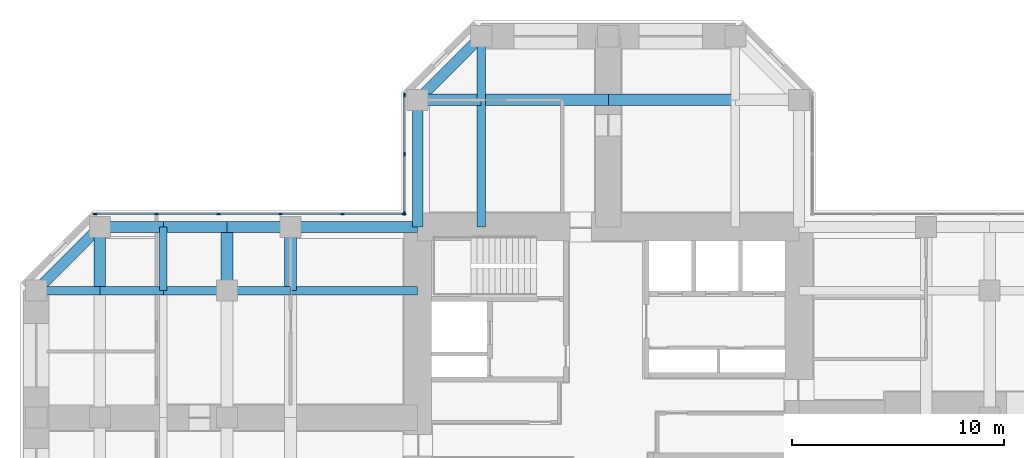
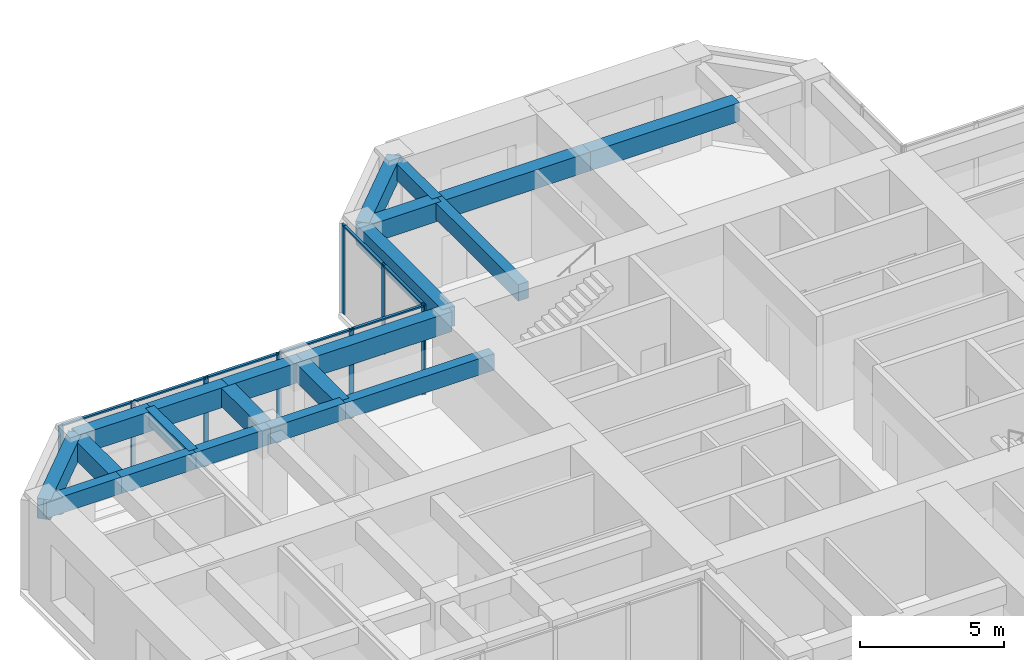
# One storey, part 5 of 13: 21 beams, 16 members, 2 elements without a shape of their own.
"""IFC4 building model written with IfcOpenShell, lengths in metres."""

from ifc_helpers import new_model, si_unit, direction, frame, origin, origin_2d, place, context, subcontext, project, spatial, rectangle, extrude, material, material_profile, profile_set, type_object, element, aggregate, save


model = new_model("IFC4")

# Units and contexts
model_context = context("Model", 3, precision=1e-05, world=origin(), true_north=direction((0.0, 1.0)))
body_context = subcontext(model_context, "Body", "Model", "MODEL_VIEW")
ifc_project = project(units=[si_unit("LENGTHUNIT", "METRE"), si_unit("AREAUNIT", "SQUARE_METRE"), si_unit("VOLUMEUNIT", "CUBIC_METRE"), si_unit("PLANEANGLEUNIT", "RADIAN"), si_unit("MASSUNIT", "GRAM", prefix="KILO")], contexts=[model_context])

# Site, building, storey
site_placement = place(None, origin())
site = spatial("IfcSite", under=ifc_project, at=site_placement, CompositionType="ELEMENT")
building_placement = place(site_placement, origin())
building = spatial("IfcBuilding", under=site, at=building_placement, Name="Torre Cruceta", CompositionType="ELEMENT")
storey_placement = place(building_placement, frame((0.0, 0.0, 152.5)))
storey = spatial("IfcBuildingStorey", under=building, at=storey_placement, Name="L37", CompositionType="ELEMENT", Elevation=152.5)

# Beams
ifc_material_1 = material(Name="Concrete G60 (fck 60 MPa)", Category="concrete")
ifc_material_profile_1 = material_profile(ifc_material_1, rectangle(XDim=0.39990234375, YDim=0.699951171875, at=origin_2d()), Name="RC 400X700")
ifc_profile_set_1 = profile_set([ifc_material_profile_1], Name="Concrete G60 (fck 60 MPa)")
beam_type_1 = type_object("IfcBeamType", Name="COLUMN LINE BEAM RC 400X700", PredefinedType="BEAM", material=ifc_profile_set_1)
beam_1_placement = place(storey_placement, frame((-6.0, 9.0, 3.449951171875), z_axis=(0.0, 1.0, 0.0), x_axis=(-1.0, 0.0, 0.0)))
element("IfcBeam", 1, at=beam_1_placement, inside=storey, type_object=beam_type_1, Name="LB5 L37 N col+ 1", PredefinedType="BEAM", context=body_context, shape_type="SweptSolid", body=[
    extrude(rectangle(XDim=0.39990234375, YDim=0.699951171875, at=origin_2d()), origin(), (0.0, 0.0, 1.0), 6.0),
])
beam_2_placement = place(storey_placement, frame((-6.0, 15.0, 3.449951171875), z_axis=(0.0, 1.0, 0.0), x_axis=(-1.0, 0.0, 0.0)))
element("IfcBeam", 2, at=beam_2_placement, inside=storey, type_object=beam_type_1, Name="LB5 L37 N col+ 2", PredefinedType="BEAM", context=body_context, shape_type="SweptSolid", body=[
    extrude(rectangle(XDim=0.39990234375, YDim=0.699951171875, at=origin_2d()), origin(), (0.0, 0.0, 1.0), 3.0),
])
beam_3_placement = place(storey_placement, frame((-9.0, 6.0, 3.449951171875), z_axis=(-1.0, 0.0, 0.0), x_axis=(0.0, -1.0, 0.0)))
element("IfcBeam", 3, at=beam_3_placement, inside=storey, type_object=beam_type_1, Name="LB5 L37 W col- 1", PredefinedType="BEAM", context=body_context, shape_type="SweptSolid", body=[
    extrude(rectangle(XDim=0.39990234375, YDim=0.699951171875, at=origin_2d()), origin(), (0.0, 0.0, 1.0), 6.0),
])
for number, where, z_axis, x_axis, name in (
    (4, (-15.0, 6.0, 3.449951171875), (-1.0, 0.0, 0.0), (0.0, -1.0, 0.0), "LB5 L37 W col- 2"),
    (5, (-18.0, 6.0, 3.449951171875), (-1.0, 0.0, 0.0), (0.0, -1.0, 0.0), "LB5 L37 W col- 3"),
    (6, (-21.0, 6.0, 3.449951171875), (-1.0, 0.0, 0.0), (0.0, -1.0, 0.0), "LB5 L37 W col- 4"),
    (7, (-24.0, 6.0, 3.449951171875), (-1.0, 0.0, 0.0), (0.0, -1.0, 0.0), "LB5 L37 W col- 5"),
):
    element("IfcBeam", number, at=place(storey_placement, frame(where, z_axis=z_axis, x_axis=x_axis)), inside=storey, type_object=beam_type_1, Name=name, PredefinedType="BEAM", context=body_context, shape_type="SweptSolid", body=[
        extrude(rectangle(XDim=0.39990234375, YDim=0.699951171875, at=origin_2d()), origin(), (0.0, 0.0, 1.0), 3.0),
    ])
ifc_material_2 = material(Name="Concrete G60 (fck 60 MPa)", Category="concrete")
ifc_material_profile_2 = material_profile(ifc_material_2, rectangle(XDim=0.550048828125, YDim=0.800048828125, at=origin_2d()), Name="RC 550X800")
ifc_profile_set_2 = profile_set([ifc_material_profile_2], Name="Concrete G60 (fck 60 MPa)")
beam_type_2 = type_object("IfcBeamType", Name="CROSS BEAM RC 550X800", PredefinedType="BEAM", material=ifc_profile_set_2)
for number, where, z_axis, x_axis, name in (
    (8, (6.0, 15.0, 3.39990234375), (-1.0, 0.0, 0.0), (0.0, -1.0, 0.0), "GB5 L37 N cross15 2"),
    (9, (0.0, 15.0, 3.39990234375), (-1.0, 0.0, 0.0), (0.0, -1.0, 0.0), "GB5 L37 N cross15 3"),
):
    element("IfcBeam", number, at=place(storey_placement, frame(where, z_axis=z_axis, x_axis=x_axis)), inside=storey, type_object=beam_type_2, Name=name, PredefinedType="BEAM", context=body_context, shape_type="SweptSolid", body=[
        extrude(rectangle(XDim=0.550048828125, YDim=0.800048828125, at=origin_2d()), origin(), (0.0, 0.0, 1.0), 6.0),
    ])
for number, where, z_axis, x_axis, name in (
    (10, (-6.0, 15.0, 3.39990234375), (-1.0, 0.0, 0.0), (0.0, -1.0, 0.0), "GB5 L37 N cross15 4"),
    (11, (-15.0, 9.0, 3.39990234375), (0.0, -1.0, 0.0), (1.0, 0.0, 0.0), "GB5 L37 W cross15 1"),
    (12, (-18.0, 9.0, 3.39990234375), (0.0, -1.0, 0.0), (1.0, 0.0, 0.0), "GB5 L37 W cross18 1"),
    (13, (-24.0, 9.0, 3.39990234375), (0.0, -1.0, 0.0), (1.0, 0.0, 0.0), "GB5 L37 W cross24 1"),
):
    element("IfcBeam", number, at=place(storey_placement, frame(where, z_axis=z_axis, x_axis=x_axis)), inside=storey, type_object=beam_type_2, Name=name, PredefinedType="BEAM", context=body_context, shape_type="SweptSolid", body=[
        extrude(rectangle(XDim=0.550048828125, YDim=0.800048828125, at=origin_2d()), origin(), (0.0, 0.0, 1.0), 3.0),
    ])

# Curtain wall, members
ifc_material_3 = material(Name="Aluminium unitised curtain wall", Category="aluminium")
curtain_wall_type = type_object("IfcCurtainWallType", Name="CURTAIN WALL CW-B OFFICE MID RISE", PredefinedType="USERDEFINED", material=ifc_material_3)
curtain_wall_1_placement = place(storey_placement, origin())
curtain_wall_1 = element("IfcCurtainWall", 14, at=curtain_wall_1_placement, inside=storey, type_object=curtain_wall_type, Name="CW-B L37 N side 09", ObjectType="UNITISED", PredefinedType="USERDEFINED")
ifc_material_4 = material(Name="Aluminium mullion", Category="aluminium")
ifc_material_profile_3 = material_profile(ifc_material_4, rectangle(XDim=0.06494140625, YDim=0.179931640625, at=origin_2d()), Name="AL 65X180")
ifc_profile_set_3 = profile_set([ifc_material_profile_3], Name="Aluminium mullion")
member_type_1 = type_object("IfcMemberType", Name="CW-B MULLION 65X180", PredefinedType="MULLION", material=ifc_profile_set_3)
member_1_placement = place(storey_placement, frame((-9.6201171875, 15.224365234375, 0.0), z_axis=(0.0, 0.0, 1.0), x_axis=(1.0, 0.0, 0.0)))
member_1 = element("IfcMember", 15, at=member_1_placement, type_object=member_type_1, Name="CW-B mullion 1", PredefinedType="MULLION", context=body_context, shape_type="SweptSolid", body=[
    extrude(rectangle(XDim=0.06494140625, YDim=0.179931640625, at=origin_2d()), origin(), (0.0, 0.0, 1.0), 3.800048828125),
])
member_2_placement = place(storey_placement, frame((-9.6201171875, 12.4384765625, 0.0), z_axis=(0.0, 0.0, 1.0), x_axis=(1.0, 0.0, 0.0)))
member_2 = element("IfcMember", 16, at=member_2_placement, type_object=member_type_1, Name="CW-B mullion 2", PredefinedType="MULLION", context=body_context, shape_type="SweptSolid", body=[
    extrude(rectangle(XDim=0.06494140625, YDim=0.179931640625, at=origin_2d()), origin(), (0.0, 0.0, 1.0), 3.800048828125),
])
member_3_placement = place(storey_placement, frame((-9.6201171875, 9.652587890625, 0.0), z_axis=(0.0, 0.0, 1.0), x_axis=(1.0, 0.0, 0.0)))
member_3 = element("IfcMember", 17, at=member_3_placement, type_object=member_type_1, Name="CW-B mullion 3", PredefinedType="MULLION", context=body_context, shape_type="SweptSolid", body=[
    extrude(rectangle(XDim=0.06494140625, YDim=0.179931640625, at=origin_2d()), origin(), (0.0, 0.0, 1.0), 3.800048828125),
])

curtain_wall_2_placement = place(storey_placement, origin())
curtain_wall_2 = element("IfcCurtainWall", 18, at=curtain_wall_2_placement, inside=storey, type_object=curtain_wall_type, Name="CW-B L37 W side 10", ObjectType="UNITISED", PredefinedType="USERDEFINED")
member_4_placement = place(storey_placement, frame((-9.652587890625, 9.6201171875, 0.0), z_axis=(0.0, 0.0, 1.0), x_axis=(0.0, -1.0, 0.0)))
member_4 = element("IfcMember", 19, at=member_4_placement, type_object=member_type_1, Name="CW-B mullion 1", PredefinedType="MULLION", context=body_context, shape_type="SweptSolid", body=[
    extrude(rectangle(XDim=0.06494140625, YDim=0.179931640625, at=origin_2d()), origin(), (0.0, 0.0, 1.0), 3.800048828125),
])
member_5_placement = place(storey_placement, frame((-12.54736328125, 9.6201171875, 0.0), z_axis=(0.0, 0.0, 1.0), x_axis=(0.0, -1.0, 0.0)))
member_5 = element("IfcMember", 20, at=member_5_placement, type_object=member_type_1, Name="CW-B mullion 2", PredefinedType="MULLION", context=body_context, shape_type="SweptSolid", body=[
    extrude(rectangle(XDim=0.06494140625, YDim=0.179931640625, at=origin_2d()), origin(), (0.0, 0.0, 1.0), 3.800048828125),
])
member_6_placement = place(storey_placement, frame((-15.474609375, 9.6201171875, 0.0), z_axis=(0.0, 0.0, 1.0), x_axis=(0.0, -1.0, 0.0)))
member_6 = element("IfcMember", 21, at=member_6_placement, type_object=member_type_1, Name="CW-B mullion 3", PredefinedType="MULLION", context=body_context, shape_type="SweptSolid", body=[
    extrude(rectangle(XDim=0.06494140625, YDim=0.179931640625, at=origin_2d()), origin(), (0.0, 0.0, 1.0), 3.800048828125),
])
member_7_placement = place(storey_placement, frame((-18.402099609375, 9.6201171875, 0.0), z_axis=(0.0, 0.0, 1.0), x_axis=(0.0, -1.0, 0.0)))
member_7 = element("IfcMember", 22, at=member_7_placement, type_object=member_type_1, Name="CW-B mullion 4", PredefinedType="MULLION", context=body_context, shape_type="SweptSolid", body=[
    extrude(rectangle(XDim=0.06494140625, YDim=0.179931640625, at=origin_2d()), origin(), (0.0, 0.0, 1.0), 3.800048828125),
])
member_8_placement = place(storey_placement, frame((-21.329345703125, 9.6201171875, 0.0), z_axis=(0.0, 0.0, 1.0), x_axis=(0.0, -1.0, 0.0)))
member_8 = element("IfcMember", 23, at=member_8_placement, type_object=member_type_1, Name="CW-B mullion 5", PredefinedType="MULLION", context=body_context, shape_type="SweptSolid", body=[
    extrude(rectangle(XDim=0.06494140625, YDim=0.179931640625, at=origin_2d()), origin(), (0.0, 0.0, 1.0), 3.800048828125),
])
member_9_placement = place(storey_placement, frame((-24.224365234375, 9.6201171875, 0.0), z_axis=(0.0, 0.0, 1.0), x_axis=(0.0, -1.0, 0.0)))
member_9 = element("IfcMember", 24, at=member_9_placement, type_object=member_type_1, Name="CW-B mullion 6", PredefinedType="MULLION", context=body_context, shape_type="SweptSolid", body=[
    extrude(rectangle(XDim=0.06494140625, YDim=0.179931640625, at=origin_2d()), origin(), (0.0, 0.0, 1.0), 3.800048828125),
])

# Member
ifc_material_5 = material(Name="Aluminium transom", Category="aluminium")
ifc_material_profile_4 = material_profile(ifc_material_5, rectangle(XDim=0.110107421875, YDim=0.06494140625, at=origin_2d()), Name="AL 110X65")
ifc_profile_set_4 = profile_set([ifc_material_profile_4], Name="Aluminium transom")
member_type_2 = type_object("IfcMemberType", Name="CW-B TRANSOM 65X110", PredefinedType="USERDEFINED", material=ifc_profile_set_4)
member_10_placement = place(storey_placement, frame((-9.6201171875, 15.19189453125, 3.767578125), z_axis=(0.0, -1.0, 0.0), x_axis=(1.0, 0.0, 0.0)))
member_10 = element("IfcMember", 25, at=member_10_placement, type_object=member_type_2, Name="CW-B transom 1", ObjectType="TRANSOM", PredefinedType="USERDEFINED", context=body_context, shape_type="SweptSolid", body=[
    extrude(rectangle(XDim=0.110107421875, YDim=0.06494140625, at=origin_2d()), origin(), (0.0, 0.0, 1.0), 2.720947265625),
])

member_11_placement = place(storey_placement, frame((-9.6201171875, 12.406005859375, 3.767578125), z_axis=(0.0, -1.0, 0.0), x_axis=(1.0, 0.0, 0.0)))
member_11 = element("IfcMember", 26, at=member_11_placement, type_object=member_type_2, Name="CW-B transom 2", ObjectType="TRANSOM", PredefinedType="USERDEFINED", context=body_context, shape_type="SweptSolid", body=[
    extrude(rectangle(XDim=0.110107421875, YDim=0.06494140625, at=origin_2d()), origin(), (0.0, 0.0, 1.0), 2.720947265625),
])

aggregate(curtain_wall_1, [member_1, member_2, member_3, member_10, member_11])

member_12_placement = place(storey_placement, frame((-9.68505859375, 9.6201171875, 3.767578125), z_axis=(-1.0, 0.0, 0.0), x_axis=(0.0, -1.0, 0.0)))
member_12 = element("IfcMember", 27, at=member_12_placement, type_object=member_type_2, Name="CW-B transom 1", ObjectType="TRANSOM", PredefinedType="USERDEFINED", context=body_context, shape_type="SweptSolid", body=[
    extrude(rectangle(XDim=0.110107421875, YDim=0.06494140625, at=origin_2d()), origin(), (0.0, 0.0, 1.0), 2.829833984375),
])

member_13_placement = place(storey_placement, frame((-12.579833984375, 9.6201171875, 3.767578125), z_axis=(-1.0, 0.0, 0.0), x_axis=(0.0, -1.0, 0.0)))
member_13 = element("IfcMember", 28, at=member_13_placement, type_object=member_type_2, Name="CW-B transom 2", ObjectType="TRANSOM", PredefinedType="USERDEFINED", context=body_context, shape_type="SweptSolid", body=[
    extrude(rectangle(XDim=0.110107421875, YDim=0.06494140625, at=origin_2d()), origin(), (0.0, 0.0, 1.0), 2.8623046875),
])

member_14_placement = place(storey_placement, frame((-15.50732421875, 9.6201171875, 3.767578125), z_axis=(-1.0, 0.0, 0.0), x_axis=(0.0, -1.0, 0.0)))
member_14 = element("IfcMember", 29, at=member_14_placement, type_object=member_type_2, Name="CW-B transom 3", ObjectType="TRANSOM", PredefinedType="USERDEFINED", context=body_context, shape_type="SweptSolid", body=[
    extrude(rectangle(XDim=0.110107421875, YDim=0.06494140625, at=origin_2d()), origin(), (0.0, 0.0, 1.0), 2.8623046875),
])

member_15_placement = place(storey_placement, frame((-18.4345703125, 9.6201171875, 3.767578125), z_axis=(-1.0, 0.0, 0.0), x_axis=(0.0, -1.0, 0.0)))
member_15 = element("IfcMember", 30, at=member_15_placement, type_object=member_type_2, Name="CW-B transom 4", ObjectType="TRANSOM", PredefinedType="USERDEFINED", context=body_context, shape_type="SweptSolid", body=[
    extrude(rectangle(XDim=0.110107421875, YDim=0.06494140625, at=origin_2d()), origin(), (0.0, 0.0, 1.0), 2.8623046875),
])

member_16_placement = place(storey_placement, frame((-21.362060546875, 9.6201171875, 3.767578125), z_axis=(-1.0, 0.0, 0.0), x_axis=(0.0, -1.0, 0.0)))
member_16 = element("IfcMember", 31, at=member_16_placement, type_object=member_type_2, Name="CW-B transom 5", ObjectType="TRANSOM", PredefinedType="USERDEFINED", context=body_context, shape_type="SweptSolid", body=[
    extrude(rectangle(XDim=0.110107421875, YDim=0.06494140625, at=origin_2d()), origin(), (0.0, 0.0, 1.0), 2.829833984375),
])

aggregate(curtain_wall_2, [member_4, member_5, member_6, member_7, member_8, member_9, member_12, member_13, member_14, member_15, member_16])

# Beams
ifc_material_6 = material(Name="Concrete G60 (fck 60 MPa)", Category="concrete")
ifc_material_profile_5 = material_profile(ifc_material_6, rectangle(XDim=0.35009765625, YDim=0.60009765625, at=origin_2d()), Name="RC 350X600")
ifc_profile_set_5 = profile_set([ifc_material_profile_5], Name="Concrete G60 (fck 60 MPa)")
beam_type_3 = type_object("IfcBeamType", Name="SECONDARY BEAM RC 350X600", PredefinedType="JOIST", material=ifc_profile_set_5)
beam_4_placement = place(storey_placement, frame((-21.0, 9.0, 3.5), z_axis=(0.0, -1.0, 0.0), x_axis=(1.0, 0.0, 0.0)))
element("IfcBeam", 32, at=beam_4_placement, inside=storey, type_object=beam_type_3, Name="JB5 L37 W sec21 1", PredefinedType="JOIST", context=body_context, shape_type="SweptSolid", body=[
    extrude(rectangle(XDim=0.35009765625, YDim=0.60009765625, at=origin_2d()), origin(), (0.0, 0.0, 1.0), 3.0),
])
ifc_material_7 = material(Name="Concrete G60 (fck 60 MPa)", Category="concrete")
ifc_material_profile_6 = material_profile(ifc_material_7, rectangle(XDim=0.5, YDim=0.85009765625, at=origin_2d()), Name="RC 500X850")
ifc_profile_set_6 = profile_set([ifc_material_profile_6], Name="Concrete G60 (fck 60 MPa)")
beam_type_4 = type_object("IfcBeamType", Name="SPANDREL BEAM RC 500X850", PredefinedType="SPANDREL", material=ifc_profile_set_6)
beam_5_placement = place(storey_placement, frame((-9.0, 9.0, 3.375), z_axis=(0.0, 1.0, 0.0), x_axis=(-1.0, 0.0, 0.0)))
element("IfcBeam", 33, at=beam_5_placement, inside=storey, type_object=beam_type_4, Name="SB5 L37 N side+ 1", PredefinedType="SPANDREL", context=body_context, shape_type="SweptSolid", body=[
    extrude(rectangle(XDim=0.5, YDim=0.85009765625, at=origin_2d()), origin(), (0.0, 0.0, 1.0), 6.0),
])
beam_6_placement = place(storey_placement, frame((-9.0, 15.0, 3.375), z_axis=(0.707106781187, 0.707106781187, 0.0), x_axis=(-0.707106781187, 0.707106781187, 0.0)))
element("IfcBeam", 34, at=beam_6_placement, inside=storey, type_object=beam_type_4, Name="SB5 L37 N side+ 2", PredefinedType="SPANDREL", context=body_context, shape_type="SweptSolid", body=[
    extrude(rectangle(XDim=0.5, YDim=0.85009765625, at=origin_2d()), origin(), (0.0, 0.0, 1.0), 4.24267578125),
])
beam_7_placement = place(storey_placement, frame((-9.0, 9.0, 3.375), z_axis=(-1.0, 0.0, 0.0), x_axis=(0.0, -1.0, 0.0)))
element("IfcBeam", 35, at=beam_7_placement, inside=storey, type_object=beam_type_4, Name="SB5 L37 W side- 1", PredefinedType="SPANDREL", context=body_context, shape_type="SweptSolid", body=[
    extrude(rectangle(XDim=0.5, YDim=0.85009765625, at=origin_2d()), origin(), (0.0, 0.0, 1.0), 6.0),
])
for number, where, z_axis, x_axis, name in (
    (36, (-15.0, 9.0, 3.375), (-1.0, 0.0, 0.0), (0.0, -1.0, 0.0), "SB5 L37 W side- 2"),
    (37, (-18.0, 9.0, 3.375), (-1.0, 0.0, 0.0), (0.0, -1.0, 0.0), "SB5 L37 W side- 3"),
    (38, (-21.0, 9.0, 3.375), (-1.0, 0.0, 0.0), (0.0, -1.0, 0.0), "SB5 L37 W side- 4"),
):
    element("IfcBeam", number, at=place(storey_placement, frame(where, z_axis=z_axis, x_axis=x_axis)), inside=storey, type_object=beam_type_4, Name=name, PredefinedType="SPANDREL", context=body_context, shape_type="SweptSolid", body=[
        extrude(rectangle(XDim=0.5, YDim=0.85009765625, at=origin_2d()), origin(), (0.0, 0.0, 1.0), 3.0),
    ])
beam_8_placement = place(storey_placement, frame((-24.0, 9.0, 3.375), z_axis=(-0.707106781187, -0.707106781187, 0.0), x_axis=(0.707106781187, -0.707106781187, 0.0)))
element("IfcBeam", 39, at=beam_8_placement, inside=storey, type_object=beam_type_4, Name="SB5 L37 W side- 5", PredefinedType="SPANDREL", context=body_context, shape_type="SweptSolid", body=[
    extrude(rectangle(XDim=0.5, YDim=0.85009765625, at=origin_2d()), origin(), (0.0, 0.0, 1.0), 4.24267578125),
])

save(model, "model.ifc")
